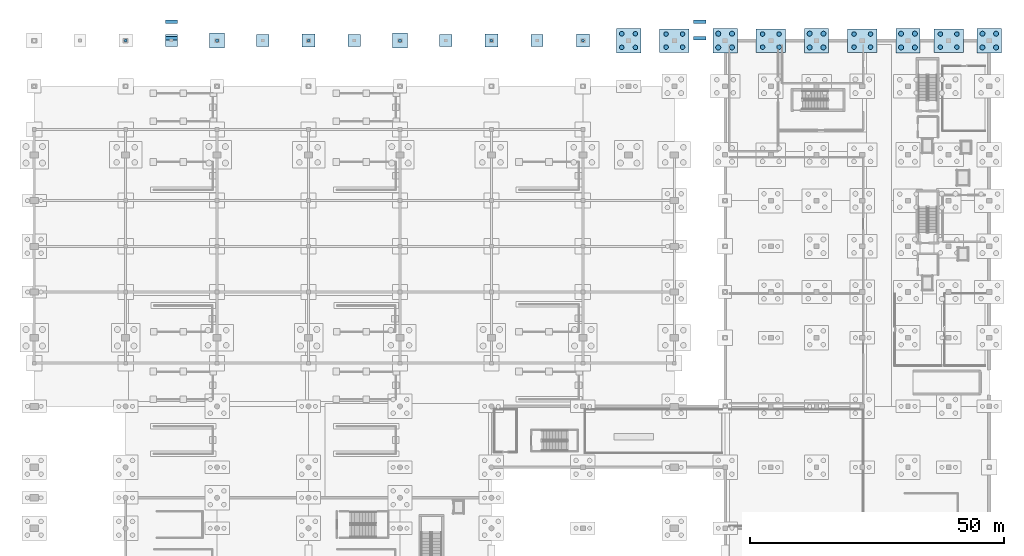
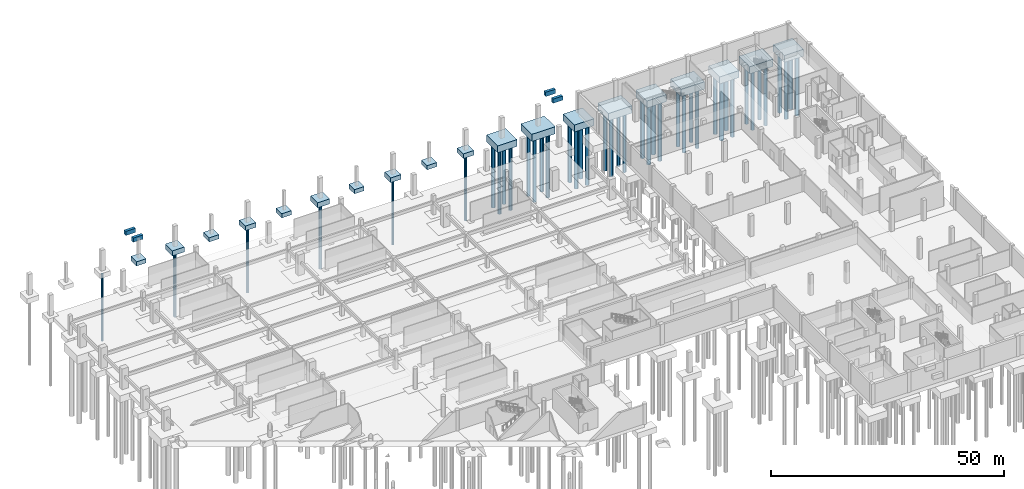
# One storey, part 9 of 26: 42 piles, 23 footings.
"""IFC4 building model written with IfcOpenShell, lengths in metres."""

import ifcopenshell
import ifcopenshell.guid

model = None  # the IFC model being written
_history = None  # IfcOwnerHistory: only IFC2X3 demands one
_inside = {}  # id of a spatial element -> (the spatial element, [elements in it])
_under = {}  # id of a project, library or spatial element -> (it, [spatial elements below it])
_declared = {}  # id of a project -> (the project, [libraries it declares])
_typed = {}  # id of a type object -> (the type object, [elements of that type])
_made_of = {}  # id of a material, layer set ... -> (it, [elements and type objects made of it])


def new_model(schema):
    """Start an empty IFC model of exactly this schema.

    Asked for "IFC4X3", IfcOpenShell would pick the latest addendum, in which some entities
    have other attributes; the version numbers below select the first issue.
    IFC2X3 requires an IfcOwnerHistory on every rooted entity: one is made here for all.
    """
    global model, _history
    if schema == "IFC4X3":
        model = ifcopenshell.file(schema_version=(4, 3, 0, 0))
    else:
        model = ifcopenshell.file(schema=schema)
    _inside.clear()
    _under.clear()
    _declared.clear()
    _typed.clear()
    _made_of.clear()
    _history = None
    if model.schema == "IFC2X3":
        org = make("IfcOrganization", Name="unknown")
        user = make(
            "IfcPersonAndOrganization",
            ThePerson=make("IfcPerson", FamilyName="unknown"),
            TheOrganization=org,
        )
        app = make(
            "IfcApplication",
            ApplicationDeveloper=org,
            Version="unknown",
            ApplicationFullName="unknown",
            ApplicationIdentifier="unknown",
        )
        _history = make(
            "IfcOwnerHistory",
            OwningUser=user,
            OwningApplication=app,
            ChangeAction="ADDED",
            CreationDate=0,
        )
    return model


def make(cls, **values):
    """One entity of the class cls with the attributes given. An attribute that is None is left unset."""
    return model.create_entity(
        cls, **{name: value for name, value in values.items() if value is not None}
    )


def rooted(cls, **values):
    """An entity with a GlobalId (a new one), such as an element, a storey or a relation."""
    return make(cls, GlobalId=ifcopenshell.guid.new(), OwnerHistory=_history, **values)


def si_unit(unit_type, name, prefix=None):
    """IfcSIUnit, for example si_unit("LENGTHUNIT", "METRE", prefix="MILLI")."""
    return make("IfcSIUnit", UnitType=unit_type, Prefix=prefix, Name=name)


def assignment(units):
    """IfcUnitAssignment: the units of a project."""
    return None if units is None else make("IfcUnitAssignment", Units=units)


def point(xyz):
    """IfcCartesianPoint."""
    return None if xyz is None else make("IfcCartesianPoint", Coordinates=xyz)


def direction(xyz):
    """IfcDirection."""
    return None if xyz is None else make("IfcDirection", DirectionRatios=xyz)


def frame(location, z_axis=None, x_axis=None):
    """IfcAxis2Placement3D, a coordinate frame: its origin and axes. An axis left out is left unset."""
    return make(
        "IfcAxis2Placement3D",
        Location=point(location),
        Axis=direction(z_axis),
        RefDirection=direction(x_axis),
    )


def frame_2d(location, x_axis=None):
    """IfcAxis2Placement2D, a coordinate frame in the plane: its origin and x axis."""
    return make(
        "IfcAxis2Placement2D", Location=point(location), RefDirection=direction(x_axis)
    )


def origin():
    """The frame at (0, 0, 0) with its axes left unset."""
    return frame((0.0, 0.0, 0.0))


def origin_2d():
    """The frame at (0, 0) in the plane with its x axis left unset."""
    return frame_2d((0.0, 0.0))


def place(relative_to, where):
    """IfcLocalPlacement: puts the frame where relative to a parent placement (None: the world)."""
    return make(
        "IfcLocalPlacement", PlacementRelTo=relative_to, RelativePlacement=where
    )


def context(
    kind, dimensions, precision=None, world=None, true_north=None, identifier=None
):
    """IfcGeometricRepresentationContext, for example the 3D "Model" context."""
    return make(
        "IfcGeometricRepresentationContext",
        ContextIdentifier=identifier,
        ContextType=kind,
        CoordinateSpaceDimension=dimensions,
        Precision=precision,
        WorldCoordinateSystem=world,
        TrueNorth=true_north,
    )


def subcontext(parent, identifier, kind, view, scale=None):
    """IfcGeometricRepresentationSubContext, for example "Body" below "Model"."""
    return make(
        "IfcGeometricRepresentationSubContext",
        ContextIdentifier=identifier,
        ContextType=kind,
        ParentContext=parent,
        TargetScale=scale,
        TargetView=view,
    )


def project(units=None, contexts=None):
    """IfcProject with its units and contexts."""
    return rooted(
        "IfcProject",
        Name="project",
        RepresentationContexts=contexts,
        UnitsInContext=assignment(units),
    )


def spatial(cls, under=None, at=None, **own):
    """A site, building, storey or space (cls), placed at a placement, below another one or the project."""
    s = rooted(cls, ObjectPlacement=at, **own)
    if under is not None:
        _under.setdefault(under.id(), (under, []))[1].append(s)
    return s


def polyline(points):
    """IfcPolyline through the points."""
    return make("IfcPolyline", Points=[point(p) for p in points])


def profile(cls, at=None, kind="AREA", **sizes):
    """A parametric profile (cls). Its sizes go by their IFC names, for example OverallWidth=200.0."""
    return make(cls, ProfileType=kind, Position=at, **sizes)


def circle(**sizes):
    """IfcCircleProfileDef."""
    return profile("IfcCircleProfileDef", **sizes)


def outline(outer, holes=None, kind="AREA"):
    """IfcArbitraryClosedProfileDef: a profile drawn as a closed curve; with holes, ...WithVoids."""
    if holes is None:
        return make("IfcArbitraryClosedProfileDef", ProfileType=kind, OuterCurve=outer)
    return make(
        "IfcArbitraryProfileDefWithVoids",
        ProfileType=kind,
        OuterCurve=outer,
        InnerCurves=holes,
    )


def extrude(swept, where, along, depth):
    """IfcExtrudedAreaSolid: the profile swept, set in the frame where, extruded along a direction by depth."""
    return make(
        "IfcExtrudedAreaSolid",
        SweptArea=swept,
        Position=where,
        ExtrudedDirection=direction(along),
        Depth=depth,
    )


def shape(context_of_items, identifier, shape_type, items):
    """IfcShapeRepresentation: the items that make up one representation, for example the "Body"."""
    return make(
        "IfcShapeRepresentation",
        ContextOfItems=context_of_items,
        RepresentationIdentifier=identifier,
        RepresentationType=shape_type,
        Items=items,
    )


def material(Name=None, Category=None):
    """IfcMaterial."""
    return make("IfcMaterial", Name=Name, Category=Category)


def material_profile(
    of_material, cross_section, Name=None, Category=None, Priority=None
):
    """IfcMaterialProfile: a cross section and its material."""
    return make(
        "IfcMaterialProfile",
        Name=Name,
        Material=of_material,
        Profile=cross_section,
        Priority=Priority,
        Category=Category,
    )


def profile_set(profiles, Name=None, composite=None):
    """IfcMaterialProfileSet."""
    return make(
        "IfcMaterialProfileSet",
        Name=Name,
        MaterialProfiles=profiles,
        CompositeProfile=composite,
    )


def made_of(thing, what):
    """Note that an element or type object is made of a material, layer set ...; save() writes the relation."""
    if what is not None:
        _made_of.setdefault(what.id(), (what, []))[1].append(thing)
    return thing


def type_object(cls, material=None, **own):
    """A type object (cls), such as IfcWallType, which elements share."""
    return made_of(rooted(cls, **own), material)


def element(
    cls,
    number,
    at=None,
    inside=None,
    cuts=None,
    type_object=None,
    material=None,
    context=None,
    identifier="Body",
    shape_type=None,
    held_by="IfcProductDefinitionShape",
    body=None,
    shapes=None,
    **own,
):
    """One element of the class cls, such as IfcWall. Its Tag is "e" and its number.

    at: its placement. inside: the storey or other place that contains it. cuts: it is an
    opening in that element (IfcRelVoidsElement). A single representation is given by context,
    identifier, shape_type and body (its items); several are given by shapes. held_by: the class
    of the entity that holds the representations. save() writes the other relations.
    """
    e = rooted(cls, Tag="e%d" % number, ObjectPlacement=at, **own)
    if body is not None:
        shapes = [shape(context, identifier, shape_type, body)]
    if shapes is not None:
        e.Representation = make(held_by, Representations=shapes)
    if inside is not None:
        _inside.setdefault(inside.id(), (inside, []))[1].append(e)
    if cuts is not None:
        rooted(
            "IfcRelVoidsElement", RelatingBuildingElement=cuts, RelatedOpeningElement=e
        )
    if type_object is not None:
        _typed.setdefault(type_object.id(), (type_object, []))[1].append(e)
    return made_of(e, material)


def aggregate(whole, parts):
    """IfcRelAggregates: a whole, such as a stair, and the parts it consists of."""
    return rooted("IfcRelAggregates", RelatingObject=whole, RelatedObjects=parts)


def save(model, path):
    """Write the relations noted so far, then the file.

    IfcRelAggregates (storeys below a building ...), IfcRelContainedInSpatialStructure (elements
    in a storey), IfcRelDefinesByType, IfcRelAssociatesMaterial and IfcRelDeclares: one each for
    every whole, place, type object, material and project.
    """
    for whole, parts in _under.values():
        aggregate(whole, parts)
    for where, things in _inside.values():
        rooted(
            "IfcRelContainedInSpatialStructure",
            RelatedElements=things,
            RelatingStructure=where,
        )
    for kind, things in _typed.values():
        rooted("IfcRelDefinesByType", RelatedObjects=things, RelatingType=kind)
    for what, things in _made_of.values():
        rooted("IfcRelAssociatesMaterial", RelatedObjects=things, RelatingMaterial=what)
    for by, libraries in _declared.values():
        rooted("IfcRelDeclares", RelatingContext=by, RelatedDefinitions=libraries)
    model.write(path)


model = new_model("IFC4")

# Units and contexts
model_context = context("Model", 3, precision=1e-05, world=origin(), true_north=direction((0.0, 1.0)))
body_context = subcontext(model_context, "Body", "Model", "MODEL_VIEW")
ifc_project = project(units=[si_unit("LENGTHUNIT", "METRE"), si_unit("AREAUNIT", "SQUARE_METRE"), si_unit("VOLUMEUNIT", "CUBIC_METRE"), si_unit("PLANEANGLEUNIT", "RADIAN"), si_unit("MASSUNIT", "GRAM", prefix="KILO")], contexts=[model_context])

# Site, building, storey
site_placement = place(None, origin())
site = spatial("IfcSite", under=ifc_project, at=site_placement, CompositionType="ELEMENT")
building_placement = place(site_placement, origin())
building = spatial("IfcBuilding", under=site, at=building_placement, Name="Chuanluo Vaults Station", CompositionType="ELEMENT")
storey_placement = place(building_placement, frame((0.0, 0.0, -5.39990234375)))
storey = spatial("IfcBuildingStorey", under=building, at=storey_placement, Name="B1", CompositionType="ELEMENT", Elevation=-5.39990234375)

# Footings
ifc_material_1 = material(Name="Concrete C40", Category="concrete")
footing_type_1 = type_object("IfcFootingType", Name="FTG-PC-11", PredefinedType="PAD_FOOTING", material=ifc_material_1)
footing_1_placement = place(storey_placement, frame((0.0, 0.0, -1.10009765625)))
element("IfcFooting", 1, at=footing_1_placement, inside=storey, type_object=footing_type_1, Name="Pilaster pad footing 02", PredefinedType="PAD_FOOTING", context=body_context, shape_type="SweptSolid", body=[
    extrude(outline(polyline([(25.800048828125, 124.800048828125), (28.199951171875, 124.800048828125), (28.199951171875, 127.199951171875), (25.800048828125, 127.199951171875), (25.800048828125, 124.800048828125)])), origin(), (0.0, 0.0, 1.0), 1.10009765625),
])
footing_2_placement = place(storey_placement, frame((0.0, 0.0, -1.10009765625)))
element("IfcFooting", 2, at=footing_2_placement, inside=storey, type_object=footing_type_1, Name="Pilaster pad footing 03", PredefinedType="PAD_FOOTING", context=body_context, shape_type="SweptSolid", body=[
    extrude(outline(polyline([(43.800048828125, 124.800048828125), (46.199951171875, 124.800048828125), (46.199951171875, 127.199951171875), (43.800048828125, 127.199951171875), (43.800048828125, 124.800048828125)])), origin(), (0.0, 0.0, 1.0), 1.10009765625),
])
footing_3_placement = place(storey_placement, frame((0.0, 0.0, -1.10009765625)))
element("IfcFooting", 3, at=footing_3_placement, inside=storey, type_object=footing_type_1, Name="Pilaster pad footing 04", PredefinedType="PAD_FOOTING", context=body_context, shape_type="SweptSolid", body=[
    extrude(outline(polyline([(61.800048828125, 124.800048828125), (64.199951171875, 124.800048828125), (64.199951171875, 127.199951171875), (61.800048828125, 127.199951171875), (61.800048828125, 124.800048828125)])), origin(), (0.0, 0.0, 1.0), 1.10009765625),
])
footing_4_placement = place(storey_placement, frame((0.0, 0.0, -1.10009765625)))
element("IfcFooting", 4, at=footing_4_placement, inside=storey, type_object=footing_type_1, Name="Pilaster pad footing 05", PredefinedType="PAD_FOOTING", context=body_context, shape_type="SweptSolid", body=[
    extrude(outline(polyline([(79.800048828125, 124.800048828125), (82.199951171875, 124.800048828125), (82.199951171875, 127.199951171875), (79.800048828125, 127.199951171875), (79.800048828125, 124.800048828125)])), origin(), (0.0, 0.0, 1.0), 1.10009765625),
])
footing_5_placement = place(storey_placement, frame((0.0, 0.0, -1.10009765625)))
element("IfcFooting", 5, at=footing_5_placement, inside=storey, type_object=footing_type_1, Name="Pilaster pad footing 06", PredefinedType="PAD_FOOTING", context=body_context, shape_type="SweptSolid", body=[
    extrude(outline(polyline([(97.800048828125, 124.800048828125), (100.199951171875, 124.800048828125), (100.199951171875, 127.199951171875), (97.800048828125, 127.199951171875), (97.800048828125, 124.800048828125)])), origin(), (0.0, 0.0, 1.0), 1.10009765625),
])
footing_6_placement = place(storey_placement, frame((0.0, 0.0, 4.119873046875)))
element("IfcFooting", 6, at=footing_6_placement, inside=storey, type_object=footing_type_1, Name="Accessible ramp foundation pad RM-A4-1", PredefinedType="PAD_FOOTING", context=body_context, shape_type="SweptSolid", body=[
    extrude(outline(polyline([(129.800048828125, 129.35009765625), (132.199951171875, 129.35009765625), (132.199951171875, 130.050048828125), (129.800048828125, 130.050048828125), (129.800048828125, 129.35009765625)])), origin(), (0.0, 0.0, 1.0), 1.10009765625),
])
footing_7_placement = place(storey_placement, frame((0.0, 0.0, 4.2998046875)))
element("IfcFooting", 7, at=footing_7_placement, inside=storey, type_object=footing_type_1, Name="Accessible ramp foundation pad RM-A4-2", PredefinedType="PAD_FOOTING", context=body_context, shape_type="SweptSolid", body=[
    extrude(outline(polyline([(129.800048828125, 126.14990234375), (132.199951171875, 126.14990234375), (132.199951171875, 126.85009765625), (129.800048828125, 126.85009765625), (129.800048828125, 126.14990234375)])), origin(), (0.0, 0.0, 1.0), 1.10009765625),
])
footing_8_placement = place(storey_placement, frame((0.0, 0.0, 4.119873046875)))
element("IfcFooting", 8, at=footing_8_placement, inside=storey, type_object=footing_type_1, Name="Accessible ramp foundation pad RM-A5-1", PredefinedType="PAD_FOOTING", context=body_context, shape_type="SweptSolid", body=[
    extrude(outline(polyline([(25.800048828125, 129.35009765625), (28.199951171875, 129.35009765625), (28.199951171875, 130.050048828125), (25.800048828125, 130.050048828125), (25.800048828125, 129.35009765625)])), origin(), (0.0, 0.0, 1.0), 1.10009765625),
])
footing_9_placement = place(storey_placement, frame((0.0, 0.0, 4.2998046875)))
element("IfcFooting", 9, at=footing_9_placement, inside=storey, type_object=footing_type_1, Name="Accessible ramp foundation pad RM-A5-2", PredefinedType="PAD_FOOTING", context=body_context, shape_type="SweptSolid", body=[
    extrude(outline(polyline([(25.800048828125, 126.14990234375), (28.199951171875, 126.14990234375), (28.199951171875, 126.85009765625), (25.800048828125, 126.85009765625), (25.800048828125, 126.14990234375)])), origin(), (0.0, 0.0, 1.0), 1.10009765625),
])
ifc_material_2 = material(Name="Concrete C40", Category="concrete")
footing_type_2 = type_object("IfcFootingType", Name="FTG-PC-2", PredefinedType="PILE_CAP", material=ifc_material_2)
footing_10_placement = place(storey_placement, frame((0.0, 0.0, -1.800048828125)))
element("IfcFooting", 10, at=footing_10_placement, inside=storey, type_object=footing_type_2, Name="Pile cap PC-072", PredefinedType="PILE_CAP", context=body_context, shape_type="SweptSolid", body=[
    extrude(outline(polyline([(114.60009765625, 123.60009765625), (119.39990234375, 123.60009765625), (119.39990234375, 128.39990234375), (114.60009765625, 128.39990234375), (114.60009765625, 123.60009765625)])), origin(), (0.0, 0.0, 1.0), 1.800048828125),
])
footing_11_placement = place(storey_placement, frame((0.0, 0.0, -3.0)))
element("IfcFooting", 11, at=footing_11_placement, inside=storey, type_object=footing_type_2, Name="Pile cap PC-096", PredefinedType="PILE_CAP", context=body_context, shape_type="SweptSolid", body=[
    extrude(outline(polyline([(133.60009765625, 123.60009765625), (138.39990234375, 123.60009765625), (138.39990234375, 128.39990234375), (133.60009765625, 128.39990234375), (133.60009765625, 123.60009765625)])), origin(), (0.0, 0.0, 1.0), 1.7998046875),
])
footing_12_placement = place(storey_placement, frame((0.0, 0.0, -3.0)))
element("IfcFooting", 12, at=footing_12_placement, inside=storey, type_object=footing_type_2, Name="Pile cap PC-122", PredefinedType="PILE_CAP", context=body_context, shape_type="SweptSolid", body=[
    extrude(outline(polyline([(151.60009765625, 123.60009765625), (156.39990234375, 123.60009765625), (156.39990234375, 128.39990234375), (151.60009765625, 128.39990234375), (151.60009765625, 123.60009765625)])), origin(), (0.0, 0.0, 1.0), 1.7998046875),
])
footing_13_placement = place(storey_placement, frame((0.0, 0.0, -3.0)))
element("IfcFooting", 13, at=footing_13_placement, inside=storey, type_object=footing_type_2, Name="Pile cap PC-148", PredefinedType="PILE_CAP", context=body_context, shape_type="SweptSolid", body=[
    extrude(outline(polyline([(169.60009765625, 123.60009765625), (174.39990234375, 123.60009765625), (174.39990234375, 128.39990234375), (169.60009765625, 128.39990234375), (169.60009765625, 123.60009765625)])), origin(), (0.0, 0.0, 1.0), 1.7998046875),
])
footing_14_placement = place(storey_placement, frame((0.0, 0.0, -3.0)))
element("IfcFooting", 14, at=footing_14_placement, inside=storey, type_object=footing_type_2, Name="Pile cap PC-174", PredefinedType="PILE_CAP", context=body_context, shape_type="SweptSolid", body=[
    extrude(outline(polyline([(185.60009765625, 123.60009765625), (190.39990234375, 123.60009765625), (190.39990234375, 128.39990234375), (185.60009765625, 128.39990234375), (185.60009765625, 123.60009765625)])), origin(), (0.0, 0.0, 1.0), 1.7998046875),
])
ifc_material_3 = material(Name="Concrete C40", Category="concrete")
footing_type_3 = type_object("IfcFootingType", Name="FTG-PC-5", PredefinedType="PILE_CAP", material=ifc_material_3)
footing_15_placement = place(storey_placement, frame((0.0, 0.0, -1.300048828125)))
element("IfcFooting", 15, at=footing_15_placement, inside=storey, type_object=footing_type_3, Name="Pile cap PC-034", PredefinedType="PILE_CAP", context=body_context, shape_type="SweptSolid", body=[
    extrude(outline(polyline([(34.5, 124.5), (37.5, 124.5), (37.5, 127.5), (34.5, 127.5), (34.5, 124.5)])), origin(), (0.0, 0.0, 1.0), 1.300048828125),
])
footing_16_placement = place(storey_placement, frame((0.0, 0.0, -1.300048828125)))
element("IfcFooting", 16, at=footing_16_placement, inside=storey, type_object=footing_type_3, Name="Pile cap PC-052", PredefinedType="PILE_CAP", context=body_context, shape_type="SweptSolid", body=[
    extrude(outline(polyline([(70.5, 124.5), (73.5, 124.5), (73.5, 127.5), (70.5, 127.5), (70.5, 124.5)])), origin(), (0.0, 0.0, 1.0), 1.300048828125),
])
ifc_material_4 = material(Name="Concrete C40", Category="concrete")
footing_type_4 = type_object("IfcFootingType", Name="FTG-PC-6", PredefinedType="PILE_CAP", material=ifc_material_4)
footing_17_placement = place(storey_placement, frame((0.0, 0.0, -1.2001953125)))
element("IfcFooting", 17, at=footing_17_placement, inside=storey, type_object=footing_type_4, Name="Pile cap PC-043", PredefinedType="PILE_CAP", context=body_context, shape_type="SweptSolid", body=[
    extrude(outline(polyline([(52.699951171875, 124.699951171875), (55.300048828125, 124.699951171875), (55.300048828125, 127.300048828125), (52.699951171875, 127.300048828125), (52.699951171875, 124.699951171875)])), origin(), (0.0, 0.0, 1.0), 1.2001953125),
])
footing_18_placement = place(storey_placement, frame((0.0, 0.0, -1.2001953125)))
element("IfcFooting", 18, at=footing_18_placement, inside=storey, type_object=footing_type_4, Name="Pile cap PC-061", PredefinedType="PILE_CAP", context=body_context, shape_type="SweptSolid", body=[
    extrude(outline(polyline([(88.699951171875, 124.699951171875), (91.300048828125, 124.699951171875), (91.300048828125, 127.300048828125), (88.699951171875, 127.300048828125), (88.699951171875, 124.699951171875)])), origin(), (0.0, 0.0, 1.0), 1.2001953125),
])
footing_19_placement = place(storey_placement, frame((0.0, 0.0, -1.2001953125)))
element("IfcFooting", 19, at=footing_19_placement, inside=storey, type_object=footing_type_4, Name="Pile cap PC-069", PredefinedType="PILE_CAP", context=body_context, shape_type="SweptSolid", body=[
    extrude(outline(polyline([(106.699951171875, 124.699951171875), (109.300048828125, 124.699951171875), (109.300048828125, 127.300048828125), (106.699951171875, 127.300048828125), (106.699951171875, 124.699951171875)])), origin(), (0.0, 0.0, 1.0), 1.2001953125),
])
ifc_material_5 = material(Name="Concrete C40", Category="concrete")
footing_type_5 = type_object("IfcFootingType", Name="FTG-PC-8", PredefinedType="PILE_CAP", material=ifc_material_5)
footing_20_placement = place(storey_placement, frame((0.0, 0.0, -1.900146484375)))
element("IfcFooting", 20, at=footing_20_placement, inside=storey, type_object=footing_type_5, Name="Pile cap PC-083", PredefinedType="PILE_CAP", context=body_context, shape_type="SweptSolid", body=[
    extrude(outline(polyline([(123.10009765625, 123.699951171875), (128.89990234375, 123.699951171875), (128.89990234375, 128.300048828125), (123.10009765625, 128.300048828125), (123.10009765625, 123.699951171875)])), origin(), (0.0, 0.0, 1.0), 1.900146484375),
])
footing_21_placement = place(storey_placement, frame((0.0, 0.0, -3.10009765625)))
element("IfcFooting", 21, at=footing_21_placement, inside=storey, type_object=footing_type_5, Name="Pile cap PC-109", PredefinedType="PILE_CAP", context=body_context, shape_type="SweptSolid", body=[
    extrude(outline(polyline([(142.10009765625, 123.699951171875), (147.89990234375, 123.699951171875), (147.89990234375, 128.300048828125), (142.10009765625, 128.300048828125), (142.10009765625, 123.699951171875)])), origin(), (0.0, 0.0, 1.0), 1.89990234375),
])
footing_22_placement = place(storey_placement, frame((0.0, 0.0, -3.10009765625)))
element("IfcFooting", 22, at=footing_22_placement, inside=storey, type_object=footing_type_5, Name="Pile cap PC-135", PredefinedType="PILE_CAP", context=body_context, shape_type="SweptSolid", body=[
    extrude(outline(polyline([(160.10009765625, 123.699951171875), (165.89990234375, 123.699951171875), (165.89990234375, 128.300048828125), (160.10009765625, 128.300048828125), (160.10009765625, 123.699951171875)])), origin(), (0.0, 0.0, 1.0), 1.89990234375),
])
footing_23_placement = place(storey_placement, frame((0.0, 0.0, -3.10009765625)))
element("IfcFooting", 23, at=footing_23_placement, inside=storey, type_object=footing_type_5, Name="Pile cap PC-161", PredefinedType="PILE_CAP", context=body_context, shape_type="SweptSolid", body=[
    extrude(outline(polyline([(177.10009765625, 123.699951171875), (182.89990234375, 123.699951171875), (182.89990234375, 128.300048828125), (177.10009765625, 128.300048828125), (177.10009765625, 123.699951171875)])), origin(), (0.0, 0.0, 1.0), 1.89990234375),
])

# Piles
ifc_material_6 = material(Name="Concrete C40", Category="concrete")
ifc_material_profile_1 = material_profile(ifc_material_6, circle(Radius=0.5, at=origin_2d()))
ifc_profile_set_1 = profile_set([ifc_material_profile_1], Name="Concrete C40")
pile_type_1 = type_object("IfcPileType", Name="PIL-1000", PredefinedType="BORED", material=ifc_profile_set_1)
for number, where, z_axis, x_axis, name in (
    (24, (134.64990234375, 124.64990234375, -2.880126953125), (0.0, 0.0, -1.0), (1.0, 0.0, 0.0), "Rock-socketed bored pile 260"),
    (25, (137.35009765625, 124.64990234375, -2.880126953125), (0.0, 0.0, -1.0), (1.0, 0.0, 0.0), "Rock-socketed bored pile 261"),
    (26, (134.64990234375, 127.35009765625, -2.880126953125), (0.0, 0.0, -1.0), (1.0, 0.0, 0.0), "Rock-socketed bored pile 262"),
    (27, (137.35009765625, 127.35009765625, -2.880126953125), (0.0, 0.0, -1.0), (1.0, 0.0, 0.0), "Rock-socketed bored pile 263"),
    (28, (152.64990234375, 124.64990234375, -2.880126953125), (0.0, 0.0, -1.0), (1.0, 0.0, 0.0), "Rock-socketed bored pile 348"),
    (29, (155.35009765625, 124.64990234375, -2.880126953125), (0.0, 0.0, -1.0), (1.0, 0.0, 0.0), "Rock-socketed bored pile 349"),
    (30, (152.64990234375, 127.35009765625, -2.880126953125), (0.0, 0.0, -1.0), (1.0, 0.0, 0.0), "Rock-socketed bored pile 350"),
    (31, (155.35009765625, 127.35009765625, -2.880126953125), (0.0, 0.0, -1.0), (1.0, 0.0, 0.0), "Rock-socketed bored pile 351"),
    (32, (170.64990234375, 124.64990234375, -2.880126953125), (0.0, 0.0, -1.0), (1.0, 0.0, 0.0), "Rock-socketed bored pile 438"),
    (33, (173.35009765625, 124.64990234375, -2.880126953125), (0.0, 0.0, -1.0), (1.0, 0.0, 0.0), "Rock-socketed bored pile 439"),
    (34, (170.64990234375, 127.35009765625, -2.880126953125), (0.0, 0.0, -1.0), (1.0, 0.0, 0.0), "Rock-socketed bored pile 440"),
    (35, (173.35009765625, 127.35009765625, -2.880126953125), (0.0, 0.0, -1.0), (1.0, 0.0, 0.0), "Rock-socketed bored pile 441"),
    (36, (186.64990234375, 124.64990234375, -2.880126953125), (0.0, 0.0, -1.0), (1.0, 0.0, 0.0), "Rock-socketed bored pile 517"),
    (37, (189.35009765625, 124.64990234375, -2.880126953125), (0.0, 0.0, -1.0), (1.0, 0.0, 0.0), "Rock-socketed bored pile 518"),
    (38, (186.64990234375, 127.35009765625, -2.880126953125), (0.0, 0.0, -1.0), (1.0, 0.0, 0.0), "Rock-socketed bored pile 519"),
    (39, (189.35009765625, 127.35009765625, -2.880126953125), (0.0, 0.0, -1.0), (1.0, 0.0, 0.0), "Rock-socketed bored pile 520"),
):
    element("IfcPile", number, at=place(storey_placement, frame(where, z_axis=z_axis, x_axis=x_axis)), inside=storey, type_object=pile_type_1, Name=name, PredefinedType="BORED", context=body_context, shape_type="SweptSolid", body=[
        extrude(circle(Radius=0.5, at=origin_2d()), origin(), (0.0, 0.0, 1.0), 15.719970703125),
    ])
ifc_material_7 = material(Name="Concrete C40", Category="concrete")
ifc_material_profile_2 = material_profile(ifc_material_7, circle(Radius=0.300048828125, at=origin_2d()))
ifc_profile_set_2 = profile_set([ifc_material_profile_2], Name="Concrete C40")
pile_type_2 = type_object("IfcPileType", Name="PIL-600", PredefinedType="BORED", material=ifc_profile_set_2)
for number, where, z_axis, x_axis, name in (
    (40, (18.0, 126.0, -1.080078125), (0.0, 0.0, -1.0), (1.0, 0.0, 0.0), "Rock-socketed bored pile 060"),
    (41, (54.0, 126.0, -1.080078125), (0.0, 0.0, -1.0), (1.0, 0.0, 0.0), "Rock-socketed bored pile 110"),
    (42, (90.0, 126.0, -1.080078125), (0.0, 0.0, -1.0), (1.0, 0.0, 0.0), "Rock-socketed bored pile 160"),
    (43, (108.0, 126.0, -1.080078125), (0.0, 0.0, -1.0), (1.0, 0.0, 0.0), "Rock-socketed bored pile 182"),
):
    element("IfcPile", number, at=place(storey_placement, frame(where, z_axis=z_axis, x_axis=x_axis)), inside=storey, type_object=pile_type_2, Name=name, PredefinedType="BORED", context=body_context, shape_type="SweptSolid", body=[
        extrude(circle(Radius=0.300048828125, at=origin_2d()), origin(), (0.0, 0.0, 1.0), 17.52001953125),
    ])
ifc_material_8 = material(Name="Concrete C40", Category="concrete")
ifc_material_profile_3 = material_profile(ifc_material_8, circle(Radius=0.35009765625, at=origin_2d()))
ifc_profile_set_3 = profile_set([ifc_material_profile_3], Name="Concrete C40")
pile_type_3 = type_object("IfcPileType", Name="PIL-700", PredefinedType="BORED", material=ifc_profile_set_3)
for number, where, z_axis, x_axis, name in (
    (44, (36.0, 126.0, -1.18017578125), (0.0, 0.0, -1.0), (1.0, 0.0, 0.0), "Rock-socketed bored pile 086"),
    (45, (72.0, 126.0, -1.18017578125), (0.0, 0.0, -1.0), (1.0, 0.0, 0.0), "Rock-socketed bored pile 136"),
):
    element("IfcPile", number, at=place(storey_placement, frame(where, z_axis=z_axis, x_axis=x_axis)), inside=storey, type_object=pile_type_3, Name=name, PredefinedType="BORED", context=body_context, shape_type="SweptSolid", body=[
        extrude(circle(Radius=0.35009765625, at=origin_2d()), origin(), (0.0, 0.0, 1.0), 17.419921875),
    ])
ifc_material_9 = material(Name="Concrete C40", Category="concrete")
ifc_material_profile_4 = material_profile(ifc_material_9, circle(Radius=0.449951171875, at=origin_2d()))
ifc_profile_set_4 = profile_set([ifc_material_profile_4], Name="Concrete C40")
pile_type_4 = type_object("IfcPileType", Name="PIL-900", PredefinedType="BORED", material=ifc_profile_set_4)
for number, where, z_axis, x_axis, name in (
    (46, (115.656005859375, 124.656005859375, -1.68017578125), (0.0, 0.0, -1.0), (1.0, 0.0, 0.0), "Rock-socketed bored pile 189"),
    (47, (118.343994140625, 124.656005859375, -1.68017578125), (0.0, 0.0, -1.0), (1.0, 0.0, 0.0), "Rock-socketed bored pile 190"),
    (48, (115.656005859375, 127.343994140625, -1.68017578125), (0.0, 0.0, -1.0), (1.0, 0.0, 0.0), "Rock-socketed bored pile 191"),
    (49, (118.343994140625, 127.343994140625, -1.68017578125), (0.0, 0.0, -1.0), (1.0, 0.0, 0.0), "Rock-socketed bored pile 192"),
):
    element("IfcPile", number, at=place(storey_placement, frame(where, z_axis=z_axis, x_axis=x_axis)), inside=storey, type_object=pile_type_4, Name=name, PredefinedType="BORED", context=body_context, shape_type="SweptSolid", body=[
        extrude(circle(Radius=0.449951171875, at=origin_2d()), origin(), (0.0, 0.0, 1.0), 16.919921875),
    ])
for number, where, z_axis, x_axis, name in (
    (50, (124.3759765625, 124.7119140625, -1.780029296875), (0.0, 0.0, -1.0), (1.0, 0.0, 0.0), "Rock-socketed bored pile 227"),
    (51, (127.6240234375, 124.7119140625, -1.780029296875), (0.0, 0.0, -1.0), (1.0, 0.0, 0.0), "Rock-socketed bored pile 228"),
    (52, (124.3759765625, 127.2880859375, -1.780029296875), (0.0, 0.0, -1.0), (1.0, 0.0, 0.0), "Rock-socketed bored pile 229"),
    (53, (127.6240234375, 127.2880859375, -1.780029296875), (0.0, 0.0, -1.0), (1.0, 0.0, 0.0), "Rock-socketed bored pile 230"),
):
    element("IfcPile", number, at=place(storey_placement, frame(where, z_axis=z_axis, x_axis=x_axis)), inside=storey, type_object=pile_type_4, Name=name, PredefinedType="BORED", context=body_context, shape_type="SweptSolid", body=[
        extrude(circle(Radius=0.449951171875, at=origin_2d()), origin(), (0.0, 0.0, 1.0), 16.820068359375),
    ])
for number, where, z_axis, x_axis, name in (
    (54, (143.3759765625, 124.7119140625, -2.97998046875), (0.0, 0.0, -1.0), (1.0, 0.0, 0.0), "Rock-socketed bored pile 302"),
    (55, (146.6240234375, 124.7119140625, -2.97998046875), (0.0, 0.0, -1.0), (1.0, 0.0, 0.0), "Rock-socketed bored pile 303"),
    (56, (143.3759765625, 127.2880859375, -2.97998046875), (0.0, 0.0, -1.0), (1.0, 0.0, 0.0), "Rock-socketed bored pile 304"),
    (57, (146.6240234375, 127.2880859375, -2.97998046875), (0.0, 0.0, -1.0), (1.0, 0.0, 0.0), "Rock-socketed bored pile 305"),
    (58, (161.3759765625, 124.7119140625, -2.97998046875), (0.0, 0.0, -1.0), (1.0, 0.0, 0.0), "Rock-socketed bored pile 392"),
    (59, (164.6240234375, 124.7119140625, -2.97998046875), (0.0, 0.0, -1.0), (1.0, 0.0, 0.0), "Rock-socketed bored pile 393"),
    (60, (161.3759765625, 127.2880859375, -2.97998046875), (0.0, 0.0, -1.0), (1.0, 0.0, 0.0), "Rock-socketed bored pile 394"),
    (61, (164.6240234375, 127.2880859375, -2.97998046875), (0.0, 0.0, -1.0), (1.0, 0.0, 0.0), "Rock-socketed bored pile 395"),
    (62, (178.3759765625, 124.7119140625, -2.97998046875), (0.0, 0.0, -1.0), (1.0, 0.0, 0.0), "Rock-socketed bored pile 482"),
    (63, (181.6240234375, 124.7119140625, -2.97998046875), (0.0, 0.0, -1.0), (1.0, 0.0, 0.0), "Rock-socketed bored pile 483"),
    (64, (178.3759765625, 127.2880859375, -2.97998046875), (0.0, 0.0, -1.0), (1.0, 0.0, 0.0), "Rock-socketed bored pile 484"),
    (65, (181.6240234375, 127.2880859375, -2.97998046875), (0.0, 0.0, -1.0), (1.0, 0.0, 0.0), "Rock-socketed bored pile 485"),
):
    element("IfcPile", number, at=place(storey_placement, frame(where, z_axis=z_axis, x_axis=x_axis)), inside=storey, type_object=pile_type_4, Name=name, PredefinedType="BORED", context=body_context, shape_type="SweptSolid", body=[
        extrude(circle(Radius=0.449951171875, at=origin_2d()), origin(), (0.0, 0.0, 1.0), 15.6201171875),
    ])

save(model, "model.ifc")
